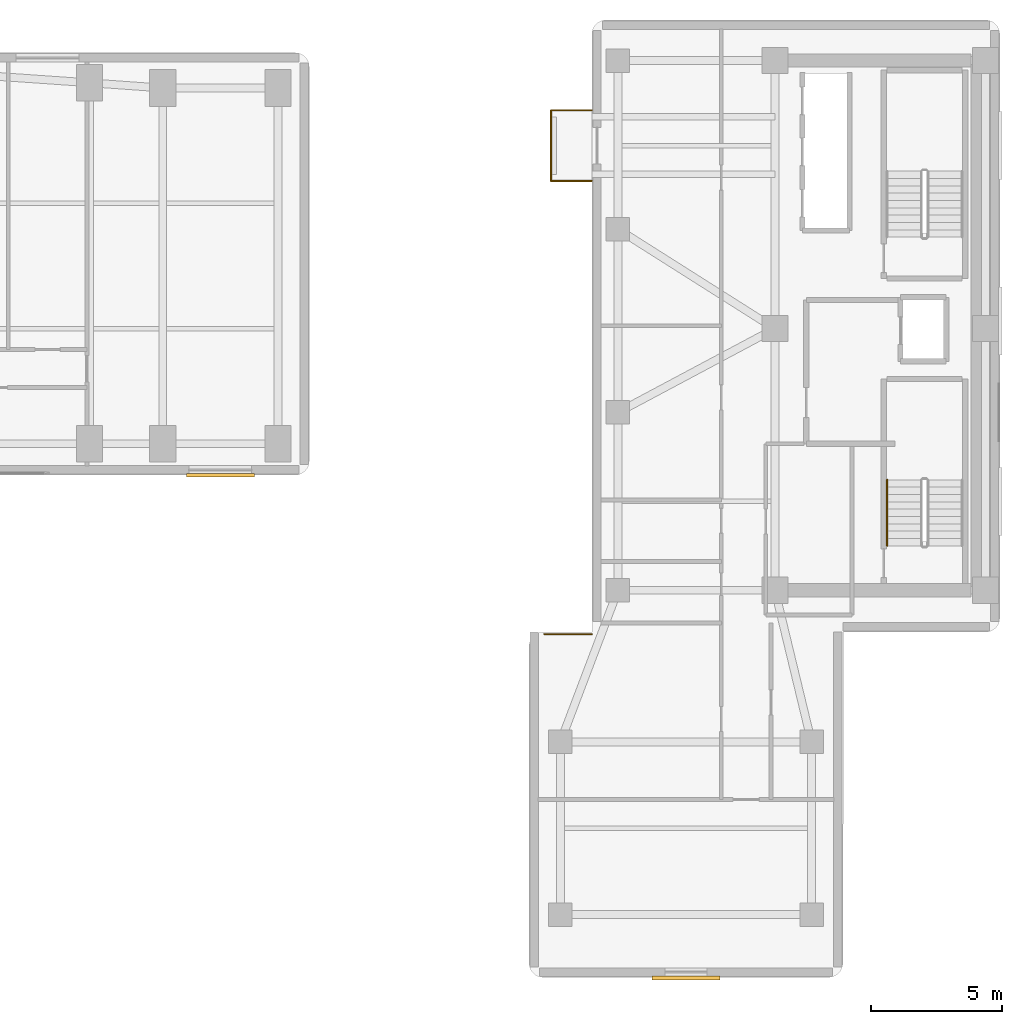
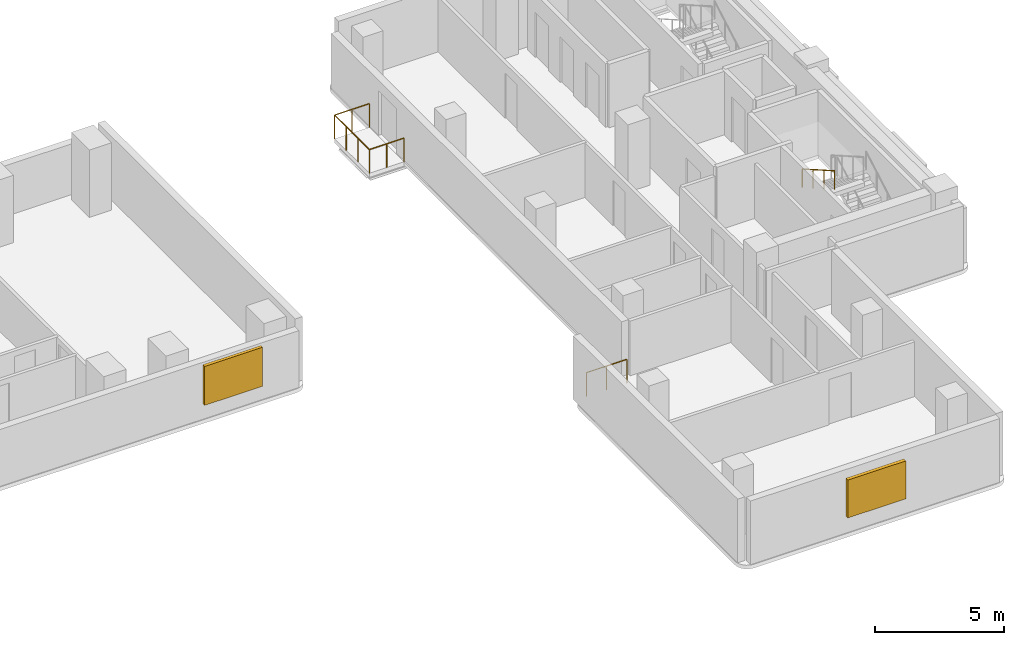
# One storey, part 15 of 16: 5 railings, 2 shading devices.
"""IFC4 building model written with IfcOpenShell, lengths in metres."""

from ifc_helpers import new_model, si_unit, direction, frame, origin, origin_2d, place, context, subcontext, project, spatial, rectangle, circle, extrude, material, layer, layer_set, type_object, element, save


model = new_model("IFC4")

# Units and contexts
model_context = context("Model", 3, precision=1e-05, world=origin(), true_north=direction((0.0, 1.0)))
body_context = subcontext(model_context, "Body", "Model", "MODEL_VIEW")
ifc_project = project(units=[si_unit("LENGTHUNIT", "METRE"), si_unit("AREAUNIT", "SQUARE_METRE"), si_unit("VOLUMEUNIT", "CUBIC_METRE"), si_unit("PLANEANGLEUNIT", "RADIAN"), si_unit("MASSUNIT", "GRAM", prefix="KILO")], contexts=[model_context])

# Site, building, storey
site_placement = place(None, origin())
site = spatial("IfcSite", under=ifc_project, at=site_placement, CompositionType="ELEMENT")
building_placement = place(site_placement, origin())
building = spatial("IfcBuilding", under=site, at=building_placement, Name="Kuzgunbayir Cultural Tower", CompositionType="ELEMENT")
storey_placement = place(building_placement, frame((0.0, 0.0, 66.0)))
storey = spatial("IfcBuildingStorey", under=building, at=storey_placement, Name="L18", CompositionType="ELEMENT", Elevation=66.0)

# Railings
ifc_material_1 = material(Name="Laminated Glass and Stainless Steel", Category="steel")
ifc_layer_1 = layer(ifc_material_1, 0.080078125)
ifc_layer_set_1 = layer_set([ifc_layer_1], Name="Laminated Glass and Stainless Steel")
railing_type_1 = type_object("IfcRailingType", Name="RLG-BAL-115", PredefinedType="BALUSTRADE", material=ifc_layer_set_1)
railing_1_placement = place(storey_placement, frame((57.60009765625, 37.64990234375, 0.0)))
element("IfcRailing", 1, at=railing_1_placement, inside=storey, type_object=railing_type_1, Name="L18 Companion Balcony Guard BAL-L18-T2W3 Segment 1", PredefinedType="BALUSTRADE", context=body_context, shape_type="SweptSolid", body=[
    extrude(circle(Radius=0.02392578125, at=origin_2d()), frame((0.0, 0.0, 1.1259765625), z_axis=(-1.0, 0.0, 0.0), x_axis=(0.0, -1.0, 0.0)), (0.0, 0.0, 1.0), 1.56005859375),
    extrude(circle(Radius=0.02099609375, at=origin_2d()), origin(), (0.0, 0.0, 1.0), 1.101806640625),
    extrude(circle(Radius=0.02099609375, at=origin_2d()), frame((-0.780029296875, 0.0, 0.0)), (0.0, 0.0, 1.0), 1.101806640625),
    extrude(circle(Radius=0.02099609375, at=origin_2d()), frame((-1.56005859375, 0.0, 0.0)), (0.0, 0.0, 1.0), 1.101806640625),
])
railing_2_placement = place(storey_placement, frame((56.0400390625, 37.64990234375, 0.0)))
element("IfcRailing", 2, at=railing_2_placement, inside=storey, type_object=railing_type_1, Name="L18 Companion Balcony Guard BAL-L18-T2W3 Segment 2", PredefinedType="BALUSTRADE", context=body_context, shape_type="SweptSolid", body=[
    extrude(circle(Radius=0.02392578125, at=origin_2d()), frame((0.0, 0.0, 1.1259765625), z_axis=(0.0, 1.0, 0.0), x_axis=(-1.0, 0.0, 0.0)), (0.0, 0.0, 1.0), 2.7001953125),
    extrude(circle(Radius=0.02099609375, at=origin_2d()), origin(), (0.0, 0.0, 1.0), 1.101806640625),
    extrude(circle(Radius=0.02099609375, at=origin_2d()), frame((0.0, 0.900146484375, 0.0)), (0.0, 0.0, 1.0), 1.101806640625),
    extrude(circle(Radius=0.02099609375, at=origin_2d()), frame((0.0, 1.800048828125, 0.0)), (0.0, 0.0, 1.0), 1.101806640625),
    extrude(circle(Radius=0.02099609375, at=origin_2d()), frame((0.0, 2.7001953125, 0.0)), (0.0, 0.0, 1.0), 1.101806640625),
])
railing_3_placement = place(storey_placement, frame((56.0400390625, 40.35009765625, 0.0)))
element("IfcRailing", 3, at=railing_3_placement, inside=storey, type_object=railing_type_1, Name="L18 Companion Balcony Guard BAL-L18-T2W3 Segment 3", PredefinedType="BALUSTRADE", context=body_context, shape_type="SweptSolid", body=[
    extrude(circle(Radius=0.02392578125, at=origin_2d()), frame((0.0, 0.0, 1.1259765625), z_axis=(1.0, 0.0, 0.0), x_axis=(0.0, 1.0, 0.0)), (0.0, 0.0, 1.0), 1.56005859375),
    extrude(circle(Radius=0.02099609375, at=origin_2d()), origin(), (0.0, 0.0, 1.0), 1.101806640625),
    extrude(circle(Radius=0.02099609375, at=origin_2d()), frame((0.780029296875, 0.0, 0.0)), (0.0, 0.0, 1.0), 1.101806640625),
    extrude(circle(Radius=0.02099609375, at=origin_2d()), frame((1.56005859375, 0.0, 0.0)), (0.0, 0.0, 1.0), 1.101806640625),
])
railing_4_placement = place(storey_placement, frame((55.7900390625, 20.320068359375, 0.0)))
element("IfcRailing", 4, at=railing_4_placement, inside=storey, type_object=railing_type_1, Name="L18 Perimeter Edge Guard 1", PredefinedType="BALUSTRADE", context=body_context, shape_type="SweptSolid", body=[
    extrude(circle(Radius=0.02392578125, at=origin_2d()), frame((0.0, 0.0, 1.1259765625), z_axis=(1.0, 0.0, 0.0), x_axis=(0.0, 1.0, 0.0)), (0.0, 0.0, 1.0), 1.81005859375),
    extrude(circle(Radius=0.02099609375, at=origin_2d()), origin(), (0.0, 0.0, 1.0), 1.101806640625),
    extrude(circle(Radius=0.02099609375, at=origin_2d()), frame((0.905029296875, 0.0, 0.0)), (0.0, 0.0, 1.0), 1.101806640625),
    extrude(circle(Radius=0.02099609375, at=origin_2d()), frame((1.81005859375, 0.0, 0.0)), (0.0, 0.0, 1.0), 1.101806640625),
])
ifc_material_2 = material(Name="Brushed Stainless Steel", Category="steel")
ifc_layer_2 = layer(ifc_material_2, 0.050048828125)
ifc_layer_set_2 = layer_set([ifc_layer_2], Name="Brushed Stainless Steel")
railing_type_2 = type_object("IfcRailingType", Name="RLG-STAIR-HANDRAIL", PredefinedType="HANDRAIL", material=ifc_layer_set_2)
railing_5_placement = place(storey_placement, frame((68.889892578125, 26.219970703125, 1.760009765625)))
element("IfcRailing", 5, at=railing_5_placement, inside=storey, type_object=railing_type_2, Name="L18 ST-3 stair handrail 2", PredefinedType="HANDRAIL", context=body_context, shape_type="SweptSolid", body=[
    extrude(circle(Radius=0.02392578125, at=origin_2d()), frame((0.0, 0.0, 0.8759765625), z_axis=(0.0, -0.868253494771, 0.496120820787), x_axis=(1.0, 0.0, 0.0)), (0.0, 0.0, 1.0), 2.90234375),
    extrude(circle(Radius=0.02099609375, at=origin_2d()), origin(), (0.0, 0.0, 1.0), 0.851806640625),
    extrude(circle(Radius=0.02099609375, at=origin_2d()), frame((0.0, -0.840087890625, 0.47998046875)), (0.0, 0.0, 1.0), 0.851806640625),
    extrude(circle(Radius=0.02099609375, at=origin_2d()), frame((0.0, -1.679931640625, 0.9599609375)), (0.0, 0.0, 1.0), 0.851806640625),
    extrude(circle(Radius=0.02099609375, at=origin_2d()), frame((0.0, -2.52001953125, 1.43994140625)), (0.0, 0.0, 1.0), 0.851806640625),
])

# Shading devices
ifc_material_3 = material(Name="Perforated Bronze-Anodised Aluminium", Category="aluminium")
shading_device_type_1 = type_object("IfcShadingDeviceType", Name="SHD-SOLAR-BRONZE", PredefinedType="JALOUSIE", material=ifc_material_3)
shading_device_1_placement = place(storey_placement, frame((43.39990234375, 26.389892578125, 0.724853515625), z_axis=(0.0, 0.0, 1.0), x_axis=(1.0, 0.0, 0.0)))
element("IfcShadingDevice", 6, at=shading_device_1_placement, inside=storey, type_object=shading_device_type_1, Name="L18 Solar Screen WBS11", PredefinedType="JALOUSIE", context=body_context, shape_type="SweptSolid", body=[
    extrude(rectangle(XDim=2.60009765625, YDim=0.139892578125, at=origin_2d()), origin(), (0.0, 0.0, 1.0), 1.85009765625),
])
ifc_material_4 = material(Name="Warm Terracotta Ceramic Baguette", Category="masonry")
shading_device_type_2 = type_object("IfcShadingDeviceType", Name="SHD-SOLAR-CERAMIC", PredefinedType="SHUTTER", material=ifc_material_4)
shading_device_2_placement = place(storey_placement, frame((61.199951171875, 7.179931640625, 0.7998046875), z_axis=(0.0, 0.0, 1.0), x_axis=(1.0, 0.0, 0.0)))
element("IfcShadingDevice", 7, at=shading_device_2_placement, inside=storey, type_object=shading_device_type_2, Name="L18 Companion Ceramic Solar Screen S1", PredefinedType="SHUTTER", context=body_context, shape_type="SweptSolid", body=[
    extrude(rectangle(XDim=2.60009765625, YDim=0.159912109375, at=origin_2d()), origin(), (0.0, 0.0, 1.0), 1.800048828125),
])

save(model, "model.ifc")
